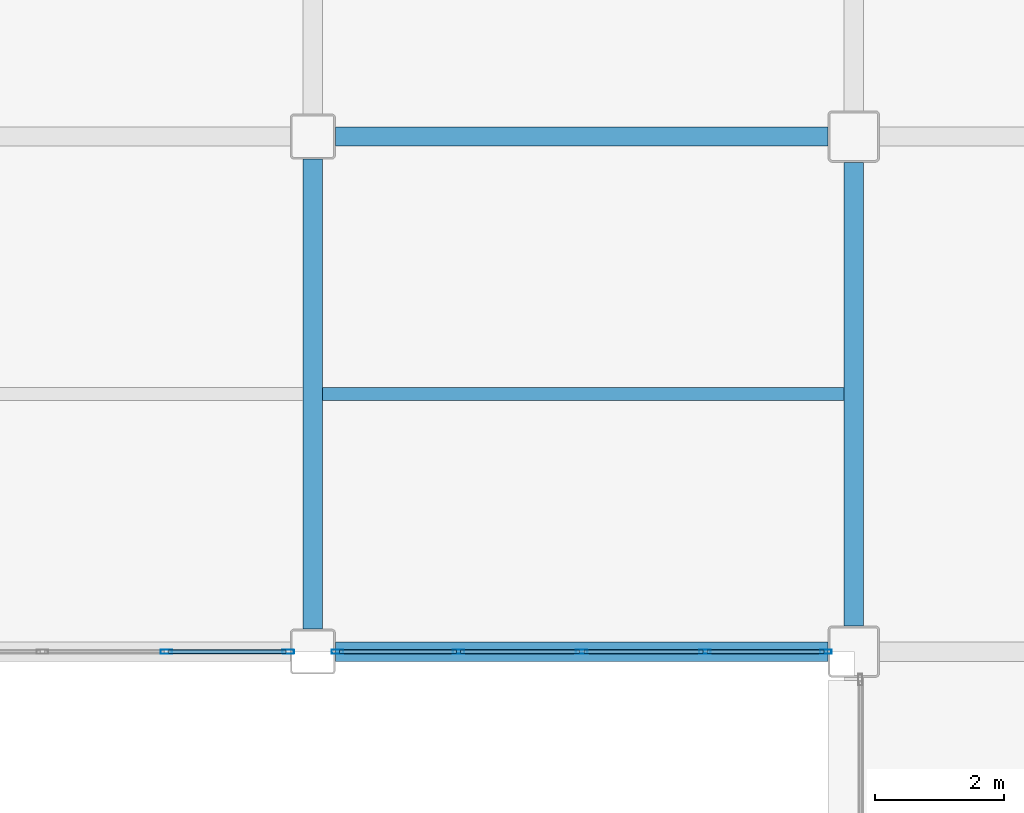
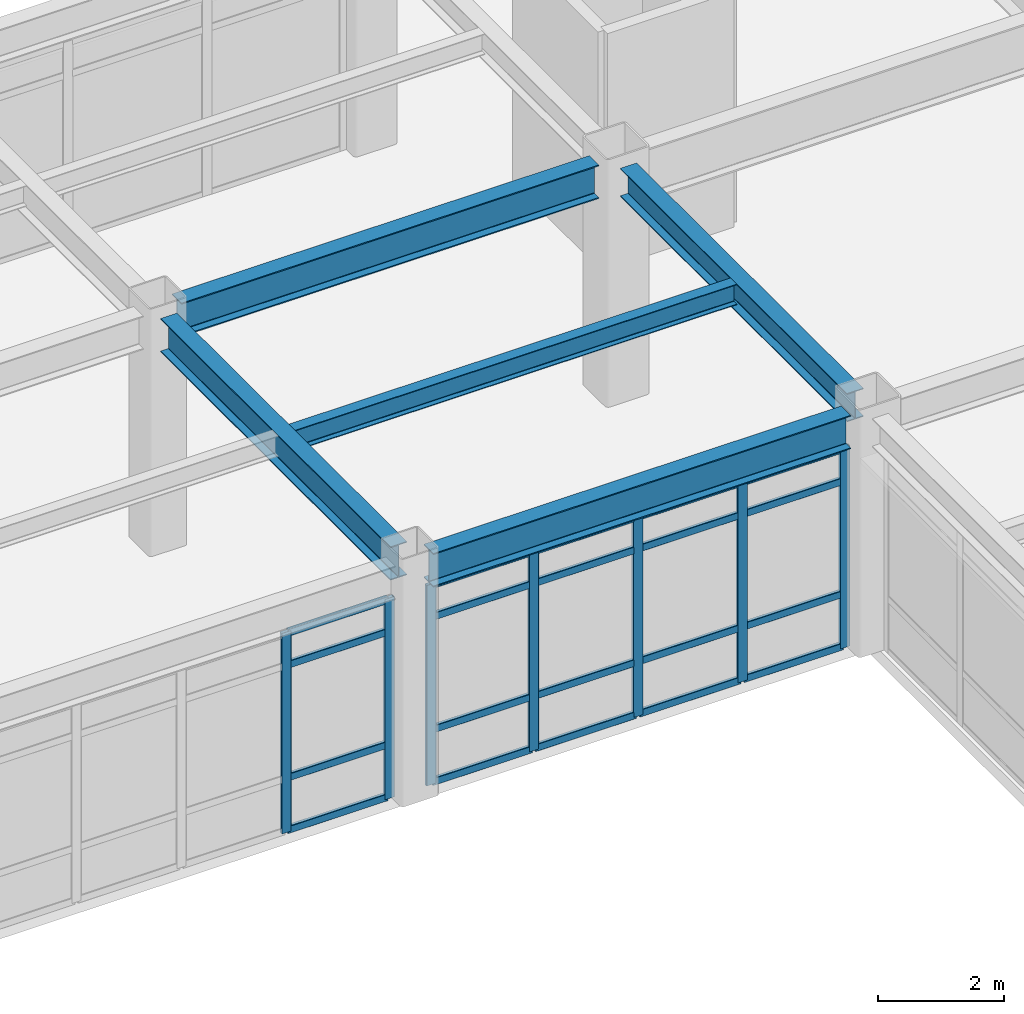
# One storey, part 84 of 154: 27 members, 5 beams, 2 elements without a shape of their own.
"""IFC4 building model written with IfcOpenShell, lengths in metres."""

import ifcopenshell
import ifcopenshell.guid

model = None  # the IFC model being written
_history = None  # IfcOwnerHistory: only IFC2X3 demands one
_inside = {}  # id of a spatial element -> (the spatial element, [elements in it])
_under = {}  # id of a project, library or spatial element -> (it, [spatial elements below it])
_declared = {}  # id of a project -> (the project, [libraries it declares])
_typed = {}  # id of a type object -> (the type object, [elements of that type])
_made_of = {}  # id of a material, layer set ... -> (it, [elements and type objects made of it])


def new_model(schema):
    """Start an empty IFC model of exactly this schema.

    Asked for "IFC4X3", IfcOpenShell would pick the latest addendum, in which some entities
    have other attributes; the version numbers below select the first issue.
    IFC2X3 requires an IfcOwnerHistory on every rooted entity: one is made here for all.
    """
    global model, _history
    if schema == "IFC4X3":
        model = ifcopenshell.file(schema_version=(4, 3, 0, 0))
    else:
        model = ifcopenshell.file(schema=schema)
    _inside.clear()
    _under.clear()
    _declared.clear()
    _typed.clear()
    _made_of.clear()
    _history = None
    if model.schema == "IFC2X3":
        org = make("IfcOrganization", Name="unknown")
        user = make(
            "IfcPersonAndOrganization",
            ThePerson=make("IfcPerson", FamilyName="unknown"),
            TheOrganization=org,
        )
        app = make(
            "IfcApplication",
            ApplicationDeveloper=org,
            Version="unknown",
            ApplicationFullName="unknown",
            ApplicationIdentifier="unknown",
        )
        _history = make(
            "IfcOwnerHistory",
            OwningUser=user,
            OwningApplication=app,
            ChangeAction="ADDED",
            CreationDate=0,
        )
    return model


def make(cls, **values):
    """One entity of the class cls with the attributes given. An attribute that is None is left unset."""
    return model.create_entity(
        cls, **{name: value for name, value in values.items() if value is not None}
    )


def rooted(cls, **values):
    """An entity with a GlobalId (a new one), such as an element, a storey or a relation."""
    return make(cls, GlobalId=ifcopenshell.guid.new(), OwnerHistory=_history, **values)


def si_unit(unit_type, name, prefix=None):
    """IfcSIUnit, for example si_unit("LENGTHUNIT", "METRE", prefix="MILLI")."""
    return make("IfcSIUnit", UnitType=unit_type, Prefix=prefix, Name=name)


def assignment(units):
    """IfcUnitAssignment: the units of a project."""
    return None if units is None else make("IfcUnitAssignment", Units=units)


def point(xyz):
    """IfcCartesianPoint."""
    return None if xyz is None else make("IfcCartesianPoint", Coordinates=xyz)


def direction(xyz):
    """IfcDirection."""
    return None if xyz is None else make("IfcDirection", DirectionRatios=xyz)


def frame(location, z_axis=None, x_axis=None):
    """IfcAxis2Placement3D, a coordinate frame: its origin and axes. An axis left out is left unset."""
    return make(
        "IfcAxis2Placement3D",
        Location=point(location),
        Axis=direction(z_axis),
        RefDirection=direction(x_axis),
    )


def frame_2d(location, x_axis=None):
    """IfcAxis2Placement2D, a coordinate frame in the plane: its origin and x axis."""
    return make(
        "IfcAxis2Placement2D", Location=point(location), RefDirection=direction(x_axis)
    )


def origin():
    """The frame at (0, 0, 0) with its axes left unset."""
    return frame((0.0, 0.0, 0.0))


def origin_2d():
    """The frame at (0, 0) in the plane with its x axis left unset."""
    return frame_2d((0.0, 0.0))


def place(relative_to, where):
    """IfcLocalPlacement: puts the frame where relative to a parent placement (None: the world)."""
    return make(
        "IfcLocalPlacement", PlacementRelTo=relative_to, RelativePlacement=where
    )


def context(
    kind, dimensions, precision=None, world=None, true_north=None, identifier=None
):
    """IfcGeometricRepresentationContext, for example the 3D "Model" context."""
    return make(
        "IfcGeometricRepresentationContext",
        ContextIdentifier=identifier,
        ContextType=kind,
        CoordinateSpaceDimension=dimensions,
        Precision=precision,
        WorldCoordinateSystem=world,
        TrueNorth=true_north,
    )


def subcontext(parent, identifier, kind, view, scale=None):
    """IfcGeometricRepresentationSubContext, for example "Body" below "Model"."""
    return make(
        "IfcGeometricRepresentationSubContext",
        ContextIdentifier=identifier,
        ContextType=kind,
        ParentContext=parent,
        TargetScale=scale,
        TargetView=view,
    )


def project(units=None, contexts=None):
    """IfcProject with its units and contexts."""
    return rooted(
        "IfcProject",
        Name="project",
        RepresentationContexts=contexts,
        UnitsInContext=assignment(units),
    )


def spatial(cls, under=None, at=None, **own):
    """A site, building, storey or space (cls), placed at a placement, below another one or the project."""
    s = rooted(cls, ObjectPlacement=at, **own)
    if under is not None:
        _under.setdefault(under.id(), (under, []))[1].append(s)
    return s


def profile(cls, at=None, kind="AREA", **sizes):
    """A parametric profile (cls). Its sizes go by their IFC names, for example OverallWidth=200.0."""
    return make(cls, ProfileType=kind, Position=at, **sizes)


def hollow_rectangle(**sizes):
    """IfcRectangleHollowProfileDef."""
    return profile("IfcRectangleHollowProfileDef", **sizes)


def i_section(**sizes):
    """IfcIShapeProfileDef."""
    return profile("IfcIShapeProfileDef", **sizes)


def extrude(swept, where, along, depth):
    """IfcExtrudedAreaSolid: the profile swept, set in the frame where, extruded along a direction by depth."""
    return make(
        "IfcExtrudedAreaSolid",
        SweptArea=swept,
        Position=where,
        ExtrudedDirection=direction(along),
        Depth=depth,
    )


def shape(context_of_items, identifier, shape_type, items):
    """IfcShapeRepresentation: the items that make up one representation, for example the "Body"."""
    return make(
        "IfcShapeRepresentation",
        ContextOfItems=context_of_items,
        RepresentationIdentifier=identifier,
        RepresentationType=shape_type,
        Items=items,
    )


def material(Name=None, Category=None):
    """IfcMaterial."""
    return make("IfcMaterial", Name=Name, Category=Category)


def layer(
    of_material, thickness, ventilated=None, Name=None, Category=None, Priority=None
):
    """IfcMaterialLayer: one layer of a wall or slab, of a material (None: an air gap)."""
    return make(
        "IfcMaterialLayer",
        Material=of_material,
        LayerThickness=thickness,
        IsVentilated=ventilated,
        Name=Name,
        Category=Category,
        Priority=Priority,
    )


def layer_set(layers, Name=None):
    """IfcMaterialLayerSet."""
    return make("IfcMaterialLayerSet", MaterialLayers=layers, LayerSetName=Name)


def material_profile(
    of_material, cross_section, Name=None, Category=None, Priority=None
):
    """IfcMaterialProfile: a cross section and its material."""
    return make(
        "IfcMaterialProfile",
        Name=Name,
        Material=of_material,
        Profile=cross_section,
        Priority=Priority,
        Category=Category,
    )


def profile_set(profiles, Name=None, composite=None):
    """IfcMaterialProfileSet."""
    return make(
        "IfcMaterialProfileSet",
        Name=Name,
        MaterialProfiles=profiles,
        CompositeProfile=composite,
    )


def made_of(thing, what):
    """Note that an element or type object is made of a material, layer set ...; save() writes the relation."""
    if what is not None:
        _made_of.setdefault(what.id(), (what, []))[1].append(thing)
    return thing


def type_object(cls, material=None, **own):
    """A type object (cls), such as IfcWallType, which elements share."""
    return made_of(rooted(cls, **own), material)


def element(
    cls,
    number,
    at=None,
    inside=None,
    cuts=None,
    type_object=None,
    material=None,
    context=None,
    identifier="Body",
    shape_type=None,
    held_by="IfcProductDefinitionShape",
    body=None,
    shapes=None,
    **own,
):
    """One element of the class cls, such as IfcWall. Its Tag is "e" and its number.

    at: its placement. inside: the storey or other place that contains it. cuts: it is an
    opening in that element (IfcRelVoidsElement). A single representation is given by context,
    identifier, shape_type and body (its items); several are given by shapes. held_by: the class
    of the entity that holds the representations. save() writes the other relations.
    """
    e = rooted(cls, Tag="e%d" % number, ObjectPlacement=at, **own)
    if body is not None:
        shapes = [shape(context, identifier, shape_type, body)]
    if shapes is not None:
        e.Representation = make(held_by, Representations=shapes)
    if inside is not None:
        _inside.setdefault(inside.id(), (inside, []))[1].append(e)
    if cuts is not None:
        rooted(
            "IfcRelVoidsElement", RelatingBuildingElement=cuts, RelatedOpeningElement=e
        )
    if type_object is not None:
        _typed.setdefault(type_object.id(), (type_object, []))[1].append(e)
    return made_of(e, material)


def aggregate(whole, parts):
    """IfcRelAggregates: a whole, such as a stair, and the parts it consists of."""
    return rooted("IfcRelAggregates", RelatingObject=whole, RelatedObjects=parts)


def save(model, path):
    """Write the relations noted so far, then the file.

    IfcRelAggregates (storeys below a building ...), IfcRelContainedInSpatialStructure (elements
    in a storey), IfcRelDefinesByType, IfcRelAssociatesMaterial and IfcRelDeclares: one each for
    every whole, place, type object, material and project.
    """
    for whole, parts in _under.values():
        aggregate(whole, parts)
    for where, things in _inside.values():
        rooted(
            "IfcRelContainedInSpatialStructure",
            RelatedElements=things,
            RelatingStructure=where,
        )
    for kind, things in _typed.values():
        rooted("IfcRelDefinesByType", RelatedObjects=things, RelatingType=kind)
    for what, things in _made_of.values():
        rooted("IfcRelAssociatesMaterial", RelatedObjects=things, RelatingMaterial=what)
    for by, libraries in _declared.values():
        rooted("IfcRelDeclares", RelatingContext=by, RelatedDefinitions=libraries)
    model.write(path)


model = new_model("IFC4")

# Units and contexts
model_context = context("Model", 3, precision=1e-05, world=origin(), true_north=direction((0.0, 1.0)))
body_context = subcontext(model_context, "Body", "Model", "MODEL_VIEW")
ifc_project = project(units=[si_unit("LENGTHUNIT", "METRE"), si_unit("AREAUNIT", "SQUARE_METRE"), si_unit("VOLUMEUNIT", "CUBIC_METRE"), si_unit("PLANEANGLEUNIT", "RADIAN"), si_unit("MASSUNIT", "GRAM", prefix="KILO")], contexts=[model_context])

# Site, building, storey
site_placement = place(None, origin())
site = spatial("IfcSite", under=ifc_project, at=site_placement, CompositionType="ELEMENT")
building_placement = place(site_placement, origin())
building = spatial("IfcBuilding", under=site, at=building_placement, Name="Kazehara Bluff Congress Hotel", CompositionType="ELEMENT")
storey_placement = place(building_placement, frame((0.0, 0.0, 10.199951171875)))
storey = spatial("IfcBuildingStorey", under=building, at=storey_placement, Name="L02", CompositionType="ELEMENT", Elevation=10.199951171875)

# Curtain wall, members
ifc_material_1 = material(Name="Anodised aluminium", Category="aluminium")
ifc_layer_1 = layer(ifc_material_1, 0.159912109375)
ifc_layer_set_1 = layer_set([ifc_layer_1], Name="Anodised aluminium")
curtain_wall_type_1 = type_object("IfcCurtainWallType", Name="TP-CW-79", PredefinedType="NOTDEFINED", material=ifc_layer_set_1)
curtain_wall_1_placement = place(storey_placement, origin())
curtain_wall_1 = element("IfcCurtainWall", 1, at=curtain_wall_1_placement, inside=storey, type_object=curtain_wall_type_1, Name="L02 curtain wall CW-79 CW-V5-L02-Y1600-12725", PredefinedType="NOTDEFINED")
ifc_material_2 = material(Name="Anodised aluminium", Category="aluminium")
ifc_material_profile_1 = material_profile(ifc_material_2, hollow_rectangle(XDim=0.06494140625, YDim=0.179931640625, WallThickness=0.00390625, InnerFilletRadius=0.00390625, OuterFilletRadius=0.008056640625, at=origin_2d()))
ifc_profile_set_1 = profile_set([ifc_material_profile_1], Name="Anodised aluminium")
member_type_1 = type_object("IfcMemberType", Name="TP-CWM-02", PredefinedType="MULLION", material=ifc_profile_set_1)
member_1_placement = place(storey_placement, frame((133.02490234375, 16.0, 0.0), z_axis=(0.0, 0.0, 1.0), x_axis=(0.0, 1.0, 0.0)))
member_1 = element("IfcMember", 2, at=member_1_placement, type_object=member_type_1, Name="CW-79 mullion 4", PredefinedType="MULLION", context=body_context, shape_type="SweptSolid", body=[
    extrude(hollow_rectangle(XDim=0.06494140625, YDim=0.179931640625, WallThickness=0.00390625, InnerFilletRadius=0.00390625, OuterFilletRadius=0.008056640625, at=origin_2d()), origin(), (0.0, 0.0, 1.0), 3.885009765625),
])
member_2_placement = place(storey_placement, frame((134.91748046875, 16.0, 0.0), z_axis=(0.0, 0.0, 1.0), x_axis=(0.0, 1.0, 0.0)))
member_2 = element("IfcMember", 3, at=member_2_placement, type_object=member_type_1, Name="CW-79 mullion 5", PredefinedType="MULLION", context=body_context, shape_type="SweptSolid", body=[
    extrude(hollow_rectangle(XDim=0.06494140625, YDim=0.179931640625, WallThickness=0.00390625, InnerFilletRadius=0.00390625, OuterFilletRadius=0.008056640625, at=origin_2d()), origin(), (0.0, 0.0, 1.0), 3.885009765625),
])

ifc_material_3 = material(Name="Anodised aluminium", Category="aluminium")
ifc_layer_2 = layer(ifc_material_3, 0.159912109375)
ifc_layer_set_2 = layer_set([ifc_layer_2], Name="Anodised aluminium")
curtain_wall_type_2 = type_object("IfcCurtainWallType", Name="TP-CW-22", PredefinedType="NOTDEFINED", material=ifc_layer_set_2)
curtain_wall_2_placement = place(storey_placement, origin())
curtain_wall_2 = element("IfcCurtainWall", 4, at=curtain_wall_2_placement, inside=storey, type_object=curtain_wall_type_2, Name="L02 curtain wall CW-22 CW-V5-L02-Y1600-13565", PredefinedType="NOTDEFINED")
member_3_placement = place(storey_placement, frame((135.6826171875, 16.0, 0.0), z_axis=(0.0, 0.0, 1.0), x_axis=(0.0, 1.0, 0.0)))
member_3 = element("IfcMember", 5, at=member_3_placement, type_object=member_type_1, Name="CW-22 mullion 1", PredefinedType="MULLION", context=body_context, shape_type="SweptSolid", body=[
    extrude(hollow_rectangle(XDim=0.06494140625, YDim=0.179931640625, WallThickness=0.00390625, InnerFilletRadius=0.00390625, OuterFilletRadius=0.008056640625, at=origin_2d()), origin(), (0.0, 0.0, 1.0), 3.885009765625),
])
member_4_placement = place(storey_placement, frame((137.5625, 16.0, 0.0), z_axis=(0.0, 0.0, 1.0), x_axis=(0.0, 1.0, 0.0)))
member_4 = element("IfcMember", 6, at=member_4_placement, type_object=member_type_1, Name="CW-22 mullion 2", PredefinedType="MULLION", context=body_context, shape_type="SweptSolid", body=[
    extrude(hollow_rectangle(XDim=0.06494140625, YDim=0.179931640625, WallThickness=0.00390625, InnerFilletRadius=0.00390625, OuterFilletRadius=0.008056640625, at=origin_2d()), origin(), (0.0, 0.0, 1.0), 3.885009765625),
])
member_5_placement = place(storey_placement, frame((139.47509765625, 16.0, 0.0), z_axis=(0.0, 0.0, 1.0), x_axis=(0.0, 1.0, 0.0)))
member_5 = element("IfcMember", 7, at=member_5_placement, type_object=member_type_1, Name="CW-22 mullion 3", PredefinedType="MULLION", context=body_context, shape_type="SweptSolid", body=[
    extrude(hollow_rectangle(XDim=0.06494140625, YDim=0.179931640625, WallThickness=0.00390625, InnerFilletRadius=0.00390625, OuterFilletRadius=0.008056640625, at=origin_2d()), origin(), (0.0, 0.0, 1.0), 3.885009765625),
])
member_6_placement = place(storey_placement, frame((141.387451171875, 16.0, 0.0), z_axis=(0.0, 0.0, 1.0), x_axis=(0.0, 1.0, 0.0)))
member_6 = element("IfcMember", 8, at=member_6_placement, type_object=member_type_1, Name="CW-22 mullion 4", PredefinedType="MULLION", context=body_context, shape_type="SweptSolid", body=[
    extrude(hollow_rectangle(XDim=0.06494140625, YDim=0.179931640625, WallThickness=0.00390625, InnerFilletRadius=0.00390625, OuterFilletRadius=0.008056640625, at=origin_2d()), origin(), (0.0, 0.0, 1.0), 3.885009765625),
])
member_7_placement = place(storey_placement, frame((143.267578125, 16.0, 0.0), z_axis=(0.0, 0.0, 1.0), x_axis=(0.0, 1.0, 0.0)))
member_7 = element("IfcMember", 9, at=member_7_placement, type_object=member_type_1, Name="CW-22 mullion 5", PredefinedType="MULLION", context=body_context, shape_type="SweptSolid", body=[
    extrude(hollow_rectangle(XDim=0.06494140625, YDim=0.179931640625, WallThickness=0.00390625, InnerFilletRadius=0.00390625, OuterFilletRadius=0.008056640625, at=origin_2d()), origin(), (0.0, 0.0, 1.0), 3.885009765625),
])

# Member
ifc_material_4 = material(Name="Anodised aluminium", Category="aluminium")
ifc_material_profile_2 = material_profile(ifc_material_4, hollow_rectangle(XDim=0.06494140625, YDim=0.139892578125, WallThickness=0.00390625, InnerFilletRadius=0.00390625, OuterFilletRadius=0.008056640625, at=origin_2d()))
ifc_profile_set_2 = profile_set([ifc_material_profile_2], Name="Anodised aluminium")
member_type_2 = type_object("IfcMemberType", Name="TP-CWT-02", PredefinedType="USERDEFINED", material=ifc_profile_set_2)
member_8_placement = place(storey_placement, frame((133.0576171875, 16.0, 0.032470703125), z_axis=(1.0, 0.0, 0.0), x_axis=(0.0, 1.0, 0.0)))
member_8 = element("IfcMember", 10, at=member_8_placement, type_object=member_type_2, Name="CW-79 transom 4.1", ObjectType="TRANSOM", PredefinedType="USERDEFINED", context=body_context, shape_type="SweptSolid", body=[
    extrude(hollow_rectangle(XDim=0.06494140625, YDim=0.139892578125, WallThickness=0.00390625, InnerFilletRadius=0.00390625, OuterFilletRadius=0.008056640625, at=origin_2d()), origin(), (0.0, 0.0, 1.0), 1.827392578125),
])

member_9_placement = place(storey_placement, frame((133.0576171875, 16.0, 1.050048828125), z_axis=(1.0, 0.0, 0.0), x_axis=(0.0, 1.0, 0.0)))
member_9 = element("IfcMember", 11, at=member_9_placement, type_object=member_type_2, Name="CW-79 transom 4.2", ObjectType="TRANSOM", PredefinedType="USERDEFINED", context=body_context, shape_type="SweptSolid", body=[
    extrude(hollow_rectangle(XDim=0.06494140625, YDim=0.139892578125, WallThickness=0.00390625, InnerFilletRadius=0.00390625, OuterFilletRadius=0.008056640625, at=origin_2d()), origin(), (0.0, 0.0, 1.0), 1.827392578125),
])

member_10_placement = place(storey_placement, frame((133.0576171875, 16.0, 3.235107421875), z_axis=(1.0, 0.0, 0.0), x_axis=(0.0, 1.0, 0.0)))
member_10 = element("IfcMember", 12, at=member_10_placement, type_object=member_type_2, Name="CW-79 transom 4.3", ObjectType="TRANSOM", PredefinedType="USERDEFINED", context=body_context, shape_type="SweptSolid", body=[
    extrude(hollow_rectangle(XDim=0.06494140625, YDim=0.139892578125, WallThickness=0.00390625, InnerFilletRadius=0.00390625, OuterFilletRadius=0.008056640625, at=origin_2d()), origin(), (0.0, 0.0, 1.0), 1.827392578125),
])

member_11_placement = place(storey_placement, frame((133.0576171875, 16.0, 3.8525390625), z_axis=(1.0, 0.0, 0.0), x_axis=(0.0, 1.0, 0.0)))
member_11 = element("IfcMember", 13, at=member_11_placement, type_object=member_type_2, Name="CW-79 transom 4.4", ObjectType="TRANSOM", PredefinedType="USERDEFINED", context=body_context, shape_type="SweptSolid", body=[
    extrude(hollow_rectangle(XDim=0.06494140625, YDim=0.139892578125, WallThickness=0.00390625, InnerFilletRadius=0.00390625, OuterFilletRadius=0.008056640625, at=origin_2d()), origin(), (0.0, 0.0, 1.0), 1.827392578125),
])

aggregate(curtain_wall_1, [member_1, member_2, member_8, member_9, member_10, member_11])

member_12_placement = place(storey_placement, frame((135.715087890625, 16.0, 0.032470703125), z_axis=(1.0, 0.0, 0.0), x_axis=(0.0, 1.0, 0.0)))
member_12 = element("IfcMember", 14, at=member_12_placement, type_object=member_type_2, Name="CW-22 transom 1.1", ObjectType="TRANSOM", PredefinedType="USERDEFINED", context=body_context, shape_type="SweptSolid", body=[
    extrude(hollow_rectangle(XDim=0.06494140625, YDim=0.139892578125, WallThickness=0.00390625, InnerFilletRadius=0.00390625, OuterFilletRadius=0.008056640625, at=origin_2d()), origin(), (0.0, 0.0, 1.0), 1.81494140625),
])

member_13_placement = place(storey_placement, frame((135.715087890625, 16.0, 1.050048828125), z_axis=(1.0, 0.0, 0.0), x_axis=(0.0, 1.0, 0.0)))
member_13 = element("IfcMember", 15, at=member_13_placement, type_object=member_type_2, Name="CW-22 transom 1.2", ObjectType="TRANSOM", PredefinedType="USERDEFINED", context=body_context, shape_type="SweptSolid", body=[
    extrude(hollow_rectangle(XDim=0.06494140625, YDim=0.139892578125, WallThickness=0.00390625, InnerFilletRadius=0.00390625, OuterFilletRadius=0.008056640625, at=origin_2d()), origin(), (0.0, 0.0, 1.0), 1.81494140625),
])

member_14_placement = place(storey_placement, frame((135.715087890625, 16.0, 3.235107421875), z_axis=(1.0, 0.0, 0.0), x_axis=(0.0, 1.0, 0.0)))
member_14 = element("IfcMember", 16, at=member_14_placement, type_object=member_type_2, Name="CW-22 transom 1.3", ObjectType="TRANSOM", PredefinedType="USERDEFINED", context=body_context, shape_type="SweptSolid", body=[
    extrude(hollow_rectangle(XDim=0.06494140625, YDim=0.139892578125, WallThickness=0.00390625, InnerFilletRadius=0.00390625, OuterFilletRadius=0.008056640625, at=origin_2d()), origin(), (0.0, 0.0, 1.0), 1.81494140625),
])

member_15_placement = place(storey_placement, frame((135.715087890625, 16.0, 3.8525390625), z_axis=(1.0, 0.0, 0.0), x_axis=(0.0, 1.0, 0.0)))
member_15 = element("IfcMember", 17, at=member_15_placement, type_object=member_type_2, Name="CW-22 transom 1.4", ObjectType="TRANSOM", PredefinedType="USERDEFINED", context=body_context, shape_type="SweptSolid", body=[
    extrude(hollow_rectangle(XDim=0.06494140625, YDim=0.139892578125, WallThickness=0.00390625, InnerFilletRadius=0.00390625, OuterFilletRadius=0.008056640625, at=origin_2d()), origin(), (0.0, 0.0, 1.0), 1.81494140625),
])

member_16_placement = place(storey_placement, frame((137.594970703125, 16.0, 0.032470703125), z_axis=(1.0, 0.0, 0.0), x_axis=(0.0, 1.0, 0.0)))
member_16 = element("IfcMember", 18, at=member_16_placement, type_object=member_type_2, Name="CW-22 transom 2.1", ObjectType="TRANSOM", PredefinedType="USERDEFINED", context=body_context, shape_type="SweptSolid", body=[
    extrude(hollow_rectangle(XDim=0.06494140625, YDim=0.139892578125, WallThickness=0.00390625, InnerFilletRadius=0.00390625, OuterFilletRadius=0.008056640625, at=origin_2d()), origin(), (0.0, 0.0, 1.0), 1.847412109375),
])

member_17_placement = place(storey_placement, frame((137.594970703125, 16.0, 1.050048828125), z_axis=(1.0, 0.0, 0.0), x_axis=(0.0, 1.0, 0.0)))
member_17 = element("IfcMember", 19, at=member_17_placement, type_object=member_type_2, Name="CW-22 transom 2.2", ObjectType="TRANSOM", PredefinedType="USERDEFINED", context=body_context, shape_type="SweptSolid", body=[
    extrude(hollow_rectangle(XDim=0.06494140625, YDim=0.139892578125, WallThickness=0.00390625, InnerFilletRadius=0.00390625, OuterFilletRadius=0.008056640625, at=origin_2d()), origin(), (0.0, 0.0, 1.0), 1.847412109375),
])

member_18_placement = place(storey_placement, frame((137.594970703125, 16.0, 3.235107421875), z_axis=(1.0, 0.0, 0.0), x_axis=(0.0, 1.0, 0.0)))
member_18 = element("IfcMember", 20, at=member_18_placement, type_object=member_type_2, Name="CW-22 transom 2.3", ObjectType="TRANSOM", PredefinedType="USERDEFINED", context=body_context, shape_type="SweptSolid", body=[
    extrude(hollow_rectangle(XDim=0.06494140625, YDim=0.139892578125, WallThickness=0.00390625, InnerFilletRadius=0.00390625, OuterFilletRadius=0.008056640625, at=origin_2d()), origin(), (0.0, 0.0, 1.0), 1.847412109375),
])

member_19_placement = place(storey_placement, frame((137.594970703125, 16.0, 3.8525390625), z_axis=(1.0, 0.0, 0.0), x_axis=(0.0, 1.0, 0.0)))
member_19 = element("IfcMember", 21, at=member_19_placement, type_object=member_type_2, Name="CW-22 transom 2.4", ObjectType="TRANSOM", PredefinedType="USERDEFINED", context=body_context, shape_type="SweptSolid", body=[
    extrude(hollow_rectangle(XDim=0.06494140625, YDim=0.139892578125, WallThickness=0.00390625, InnerFilletRadius=0.00390625, OuterFilletRadius=0.008056640625, at=origin_2d()), origin(), (0.0, 0.0, 1.0), 1.847412109375),
])

member_20_placement = place(storey_placement, frame((139.507568359375, 16.0, 0.032470703125), z_axis=(1.0, 0.0, 0.0), x_axis=(0.0, 1.0, 0.0)))
member_20 = element("IfcMember", 22, at=member_20_placement, type_object=member_type_2, Name="CW-22 transom 3.1", ObjectType="TRANSOM", PredefinedType="USERDEFINED", context=body_context, shape_type="SweptSolid", body=[
    extrude(hollow_rectangle(XDim=0.06494140625, YDim=0.139892578125, WallThickness=0.00390625, InnerFilletRadius=0.00390625, OuterFilletRadius=0.008056640625, at=origin_2d()), origin(), (0.0, 0.0, 1.0), 1.847412109375),
])

member_21_placement = place(storey_placement, frame((139.507568359375, 16.0, 1.050048828125), z_axis=(1.0, 0.0, 0.0), x_axis=(0.0, 1.0, 0.0)))
member_21 = element("IfcMember", 23, at=member_21_placement, type_object=member_type_2, Name="CW-22 transom 3.2", ObjectType="TRANSOM", PredefinedType="USERDEFINED", context=body_context, shape_type="SweptSolid", body=[
    extrude(hollow_rectangle(XDim=0.06494140625, YDim=0.139892578125, WallThickness=0.00390625, InnerFilletRadius=0.00390625, OuterFilletRadius=0.008056640625, at=origin_2d()), origin(), (0.0, 0.0, 1.0), 1.847412109375),
])

member_22_placement = place(storey_placement, frame((139.507568359375, 16.0, 3.235107421875), z_axis=(1.0, 0.0, 0.0), x_axis=(0.0, 1.0, 0.0)))
member_22 = element("IfcMember", 24, at=member_22_placement, type_object=member_type_2, Name="CW-22 transom 3.3", ObjectType="TRANSOM", PredefinedType="USERDEFINED", context=body_context, shape_type="SweptSolid", body=[
    extrude(hollow_rectangle(XDim=0.06494140625, YDim=0.139892578125, WallThickness=0.00390625, InnerFilletRadius=0.00390625, OuterFilletRadius=0.008056640625, at=origin_2d()), origin(), (0.0, 0.0, 1.0), 1.847412109375),
])

member_23_placement = place(storey_placement, frame((139.507568359375, 16.0, 3.8525390625), z_axis=(1.0, 0.0, 0.0), x_axis=(0.0, 1.0, 0.0)))
member_23 = element("IfcMember", 25, at=member_23_placement, type_object=member_type_2, Name="CW-22 transom 3.4", ObjectType="TRANSOM", PredefinedType="USERDEFINED", context=body_context, shape_type="SweptSolid", body=[
    extrude(hollow_rectangle(XDim=0.06494140625, YDim=0.139892578125, WallThickness=0.00390625, InnerFilletRadius=0.00390625, OuterFilletRadius=0.008056640625, at=origin_2d()), origin(), (0.0, 0.0, 1.0), 1.847412109375),
])

member_24_placement = place(storey_placement, frame((141.419921875, 16.0, 0.032470703125), z_axis=(1.0, 0.0, 0.0), x_axis=(0.0, 1.0, 0.0)))
member_24 = element("IfcMember", 26, at=member_24_placement, type_object=member_type_2, Name="CW-22 transom 4.1", ObjectType="TRANSOM", PredefinedType="USERDEFINED", context=body_context, shape_type="SweptSolid", body=[
    extrude(hollow_rectangle(XDim=0.06494140625, YDim=0.139892578125, WallThickness=0.00390625, InnerFilletRadius=0.00390625, OuterFilletRadius=0.008056640625, at=origin_2d()), origin(), (0.0, 0.0, 1.0), 1.815185546875),
])

member_25_placement = place(storey_placement, frame((141.419921875, 16.0, 1.050048828125), z_axis=(1.0, 0.0, 0.0), x_axis=(0.0, 1.0, 0.0)))
member_25 = element("IfcMember", 27, at=member_25_placement, type_object=member_type_2, Name="CW-22 transom 4.2", ObjectType="TRANSOM", PredefinedType="USERDEFINED", context=body_context, shape_type="SweptSolid", body=[
    extrude(hollow_rectangle(XDim=0.06494140625, YDim=0.139892578125, WallThickness=0.00390625, InnerFilletRadius=0.00390625, OuterFilletRadius=0.008056640625, at=origin_2d()), origin(), (0.0, 0.0, 1.0), 1.815185546875),
])

member_26_placement = place(storey_placement, frame((141.419921875, 16.0, 3.235107421875), z_axis=(1.0, 0.0, 0.0), x_axis=(0.0, 1.0, 0.0)))
member_26 = element("IfcMember", 28, at=member_26_placement, type_object=member_type_2, Name="CW-22 transom 4.3", ObjectType="TRANSOM", PredefinedType="USERDEFINED", context=body_context, shape_type="SweptSolid", body=[
    extrude(hollow_rectangle(XDim=0.06494140625, YDim=0.139892578125, WallThickness=0.00390625, InnerFilletRadius=0.00390625, OuterFilletRadius=0.008056640625, at=origin_2d()), origin(), (0.0, 0.0, 1.0), 1.815185546875),
])

member_27_placement = place(storey_placement, frame((141.419921875, 16.0, 3.8525390625), z_axis=(1.0, 0.0, 0.0), x_axis=(0.0, 1.0, 0.0)))
member_27 = element("IfcMember", 29, at=member_27_placement, type_object=member_type_2, Name="CW-22 transom 4.4", ObjectType="TRANSOM", PredefinedType="USERDEFINED", context=body_context, shape_type="SweptSolid", body=[
    extrude(hollow_rectangle(XDim=0.06494140625, YDim=0.139892578125, WallThickness=0.00390625, InnerFilletRadius=0.00390625, OuterFilletRadius=0.008056640625, at=origin_2d()), origin(), (0.0, 0.0, 1.0), 1.815185546875),
])

aggregate(curtain_wall_2, [member_3, member_4, member_5, member_6, member_7, member_12, member_13, member_14, member_15, member_16, member_17, member_18, member_19, member_20, member_21, member_22, member_23, member_24, member_25, member_26, member_27])

# Beams
ifc_material_5 = material(Name="Steel SN490B", Category="steel")
ifc_material_profile_3 = material_profile(ifc_material_5, i_section(OverallWidth=0.300048828125, OverallDepth=0.64990234375, WebThickness=0.011962890625, FlangeThickness=0.02001953125, FilletRadius=0.012939453125, at=origin_2d()))
ifc_profile_set_3 = profile_set([ifc_material_profile_3], Name="Steel SN490B")
beam_type_1 = type_object("IfcBeamType", Name="TP-G-03", PredefinedType="BEAM", material=ifc_profile_set_3)
beam_1_placement = place(storey_placement, frame((135.300048828125, 16.35009765625, 4.235107421875), z_axis=(0.0, 1.0, 0.0), x_axis=(-1.0, 0.0, 0.0)))
element("IfcBeam", 30, at=beam_1_placement, inside=storey, type_object=beam_type_1, Name="L02 girder G-03 136", PredefinedType="BEAM", context=body_context, shape_type="SweptSolid", body=[
    extrude(i_section(OverallWidth=0.300048828125, OverallDepth=0.64990234375, WebThickness=0.011962890625, FlangeThickness=0.02001953125, FilletRadius=0.012939453125, at=origin_2d()), origin(), (0.0, 0.0, 1.0), 7.2998046875),
])
for number, where, z_axis, x_axis, name in (
    (31, (135.64990234375, 16.0, 4.235107421875), (1.0, 0.0, 0.0), (0.0, 1.0, 0.0), "L02 girder G-03 189"),
    (32, (135.64990234375, 24.0, 4.235107421875), (1.0, 0.0, 0.0), (0.0, 1.0, 0.0), "L02 girder G-03 196"),
):
    element("IfcBeam", number, at=place(storey_placement, frame(where, z_axis=z_axis, x_axis=x_axis)), inside=storey, type_object=beam_type_1, Name=name, PredefinedType="BEAM", context=body_context, shape_type="SweptSolid", body=[
        extrude(i_section(OverallWidth=0.300048828125, OverallDepth=0.64990234375, WebThickness=0.011962890625, FlangeThickness=0.02001953125, FilletRadius=0.012939453125, at=origin_2d()), origin(), (0.0, 0.0, 1.0), 7.650146484375),
    ])
ifc_material_6 = material(Name="Steel SN400B", Category="steel")
ifc_material_profile_4 = material_profile(ifc_material_6, i_section(OverallWidth=0.199951171875, OverallDepth=0.39990234375, WebThickness=0.008056640625, FlangeThickness=0.012939453125, FilletRadius=0.012939453125, at=origin_2d()))
ifc_profile_set_4 = profile_set([ifc_material_profile_4], Name="Steel SN400B")
beam_type_2 = type_object("IfcBeamType", Name="TP-J-03", PredefinedType="JOIST", material=ifc_profile_set_4)
beam_2_placement = place(storey_placement, frame((135.449951171875, 20.0, 4.360107421875), z_axis=(1.0, 0.0, 0.0), x_axis=(0.0, 1.0, 0.0)))
element("IfcBeam", 33, at=beam_2_placement, inside=storey, type_object=beam_type_2, Name="L02 secondary joist J-03 33", PredefinedType="JOIST", context=body_context, shape_type="SweptSolid", body=[
    extrude(i_section(OverallWidth=0.199951171875, OverallDepth=0.39990234375, WebThickness=0.008056640625, FlangeThickness=0.012939453125, FilletRadius=0.012939453125, at=origin_2d()), origin(), (0.0, 0.0, 1.0), 8.10009765625),
])
ifc_material_7 = material(Name="Steel SN490B", Category="steel")
ifc_material_profile_5 = material_profile(ifc_material_7, i_section(OverallWidth=0.300048828125, OverallDepth=0.550048828125, WebThickness=0.010986328125, FlangeThickness=0.01806640625, FilletRadius=0.012939453125, at=origin_2d()))
ifc_profile_set_5 = profile_set([ifc_material_profile_5], Name="Steel SN490B")
beam_type_3 = type_object("IfcBeamType", Name="TP-SP-01", PredefinedType="SPANDREL", material=ifc_profile_set_5)
beam_3_placement = place(storey_placement, frame((143.699951171875, 16.39990234375, 4.28515625), z_axis=(0.0, 1.0, 0.0), x_axis=(-1.0, 0.0, 0.0)))
element("IfcBeam", 34, at=beam_3_placement, inside=storey, type_object=beam_type_3, Name="L02 girder SP-01 140", PredefinedType="SPANDREL", context=body_context, shape_type="SweptSolid", body=[
    extrude(i_section(OverallWidth=0.300048828125, OverallDepth=0.550048828125, WebThickness=0.010986328125, FlangeThickness=0.01806640625, FilletRadius=0.012939453125, at=origin_2d()), origin(), (0.0, 0.0, 1.0), 7.2001953125),
])

save(model, "model.ifc")
